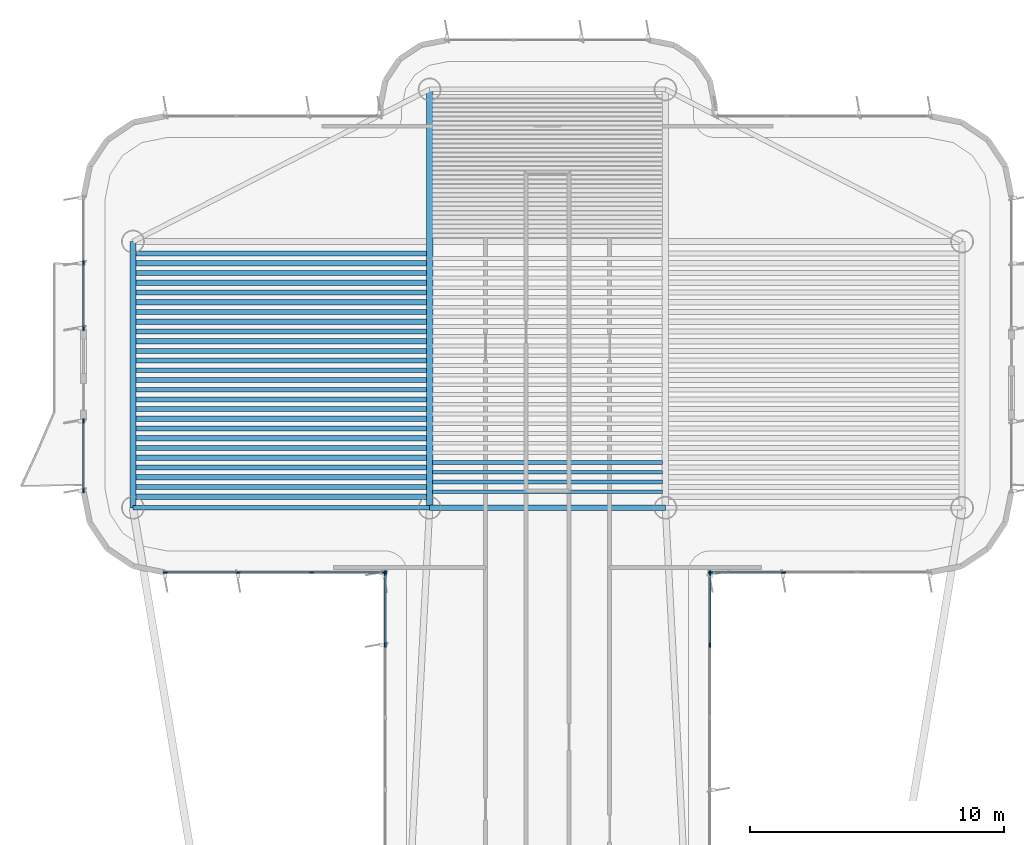
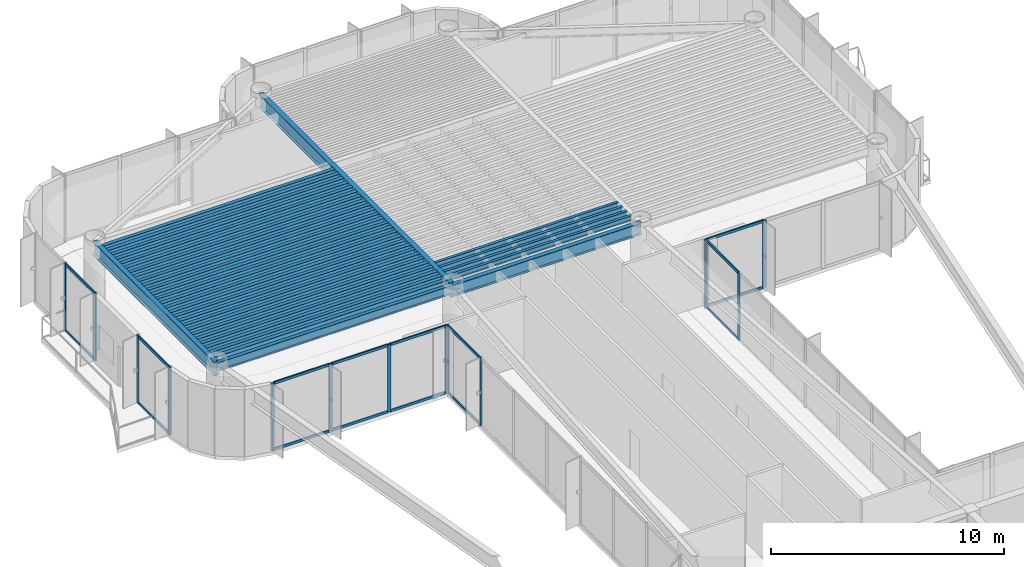
# One storey, part 5 of 14: 34 beams, 30 members, 6 elements without a shape of their own.
"""IFC4 building model written with IfcOpenShell, lengths in metres."""

from ifc_helpers import new_model, si_unit, direction, frame, origin, origin_2d, place, context, subcontext, project, spatial, rectangle, i_section, extrude, source, transform, mapped, material, layer, layer_set, material_profile, profile_set, type_object, element, aggregate, save


model = new_model("IFC4")

# Units and contexts
model_context = context("Model", 3, precision=1e-05, world=origin(), true_north=direction((0.0, 1.0)))
body_context = subcontext(model_context, "Body", "Model", "MODEL_VIEW")
ifc_project = project(units=[si_unit("LENGTHUNIT", "METRE"), si_unit("AREAUNIT", "SQUARE_METRE"), si_unit("VOLUMEUNIT", "CUBIC_METRE"), si_unit("PLANEANGLEUNIT", "RADIAN"), si_unit("MASSUNIT", "GRAM", prefix="KILO")], contexts=[model_context])

# Site, building, storey
site_placement = place(None, origin())
site = spatial("IfcSite", under=ifc_project, at=site_placement, CompositionType="ELEMENT")
building_placement = place(site_placement, origin())
building = spatial("IfcBuilding", under=site, at=building_placement, Name="Brelvock Crest Care Tower", CompositionType="ELEMENT")
storey_placement = place(building_placement, frame((0.0, 0.0, 253.260009765625)))
storey = spatial("IfcBuildingStorey", under=building, at=storey_placement, Name="L64", CompositionType="ELEMENT", Elevation=253.260009765625)

# Beams
ifc_material_1 = material(Name="Steel Grade 350", Category="steel")
ifc_material_profile_1 = material_profile(ifc_material_1, i_section(OverallWidth=0.25, OverallDepth=0.699951171875, WebThickness=0.011962890625, FlangeThickness=0.02001953125, at=origin_2d()), Name="700WB150")
ifc_profile_set_1 = profile_set([ifc_material_profile_1], Name="Steel Grade 350")
beam_type_1 = type_object("IfcBeamType", Name="BM-G4", PredefinedType="BEAM", material=ifc_profile_set_1)
shared_shape_1 = source(origin(), body_context, "Body", "SweptSolid", [
    extrude(i_section(OverallWidth=0.25, OverallDepth=0.699951171875, WebThickness=0.011962890625, FlangeThickness=0.02001953125, at=origin_2d()), origin(), (0.0, 0.0, 1.0), 10.5),
])
beam_1_placement = place(storey_placement, frame((19.64990234375, 43.949951171875, 3.179931640625), z_axis=(0.0, 1.0, 0.0), x_axis=(-1.0, 0.0, 0.0)))
element("IfcBeam", 1, at=beam_1_placement, inside=storey, type_object=beam_type_1, Name="BM-TWR-L64-01", PredefinedType="BEAM", context=body_context, shape_type="MappedRepresentation", body=[
    mapped(shared_shape_1, transform((0.0, 0.0, 0.0), x_axis=(1.0, 0.0, 0.0), y_axis=(0.0, 1.0, 0.0), z_axis=(0.0, 0.0, 1.0), scale=1.0)),
])
ifc_material_profile_2 = material_profile(ifc_material_1, i_section(OverallWidth=0.22900390625, OverallDepth=0.612060546875, WebThickness=0.011962890625, FlangeThickness=0.01953125, FilletRadius=0.013916015625, at=origin_2d()), Name="610UB125")
ifc_profile_set_2 = profile_set([ifc_material_profile_2], Name="Steel Grade 350")
beam_type_2 = type_object("IfcBeamType", Name="BM-G1", PredefinedType="BEAM", material=ifc_profile_set_2)
shared_shape_2 = source(origin(), body_context, "Body", "SweptSolid", [
    extrude(i_section(OverallWidth=0.22900390625, OverallDepth=0.612060546875, WebThickness=0.011962890625, FlangeThickness=0.01953125, FilletRadius=0.013916015625, at=origin_2d()), origin(), (0.0, 0.0, 1.0), 9.2998046875),
])
beam_2_placement = place(storey_placement, frame((31.35009765625, 43.949951171875, 3.223876953125), z_axis=(1.0, 0.0, 0.0), x_axis=(0.0, 1.0, 0.0)))
element("IfcBeam", 2, at=beam_2_placement, inside=storey, type_object=beam_type_2, Name="BM-TWR-L64-05", PredefinedType="BEAM", context=body_context, shape_type="MappedRepresentation", body=[
    mapped(shared_shape_2, transform((0.0, 0.0, 0.0), x_axis=(1.0, 0.0, 0.0), y_axis=(0.0, 1.0, 0.0), z_axis=(0.0, 0.0, 1.0), scale=1.0)),
])
ifc_material_profile_3 = material_profile(ifc_material_1, i_section(OverallWidth=0.14599609375, OverallDepth=0.256103515625, WebThickness=0.00634765625, FlangeThickness=0.010986328125, FilletRadius=0.0087890625, at=origin_2d()), Name="250UB37.3")
ifc_profile_set_3 = profile_set([ifc_material_profile_3], Name="Steel Grade 350")
beam_type_3 = type_object("IfcBeamType", Name="BM-J3", PredefinedType="JOIST", material=ifc_profile_set_3)
shared_shape_3 = source(origin(), body_context, "Body", "SweptSolid", [
    extrude(i_section(OverallWidth=0.14599609375, OverallDepth=0.256103515625, WebThickness=0.00634765625, FlangeThickness=0.010986328125, FilletRadius=0.0087890625, at=origin_2d()), origin(), (0.0, 0.0, 1.0), 9.06982421875),
])
for number, where, z_axis, x_axis, name in (
    (3, (31.465087890625, 44.58251953125, 3.402099609375), (1.0, 0.0, 0.0), (0.0, 1.0, 0.0), "BM-JH-L64-1"),
    (4, (31.465087890625, 44.9658203125, 3.402099609375), (1.0, 0.0, 0.0), (0.0, 1.0, 0.0), "BM-JH-L64-2"),
    (5, (31.465087890625, 45.34912109375, 3.402099609375), (1.0, 0.0, 0.0), (0.0, 1.0, 0.0), "BM-JH-L64-3"),
    (6, (31.465087890625, 45.732421875, 3.402099609375), (1.0, 0.0, 0.0), (0.0, 1.0, 0.0), "BM-JH-L64-4"),
):
    element("IfcBeam", number, at=place(storey_placement, frame(where, z_axis=z_axis, x_axis=x_axis)), inside=storey, type_object=beam_type_3, Name=name, PredefinedType="JOIST", context=body_context, shape_type="MappedRepresentation", body=[
        mapped(shared_shape_3, transform((0.0, 0.0, 0.0), x_axis=(1.0, 0.0, 0.0), y_axis=(0.0, 1.0, 0.0), z_axis=(0.0, 0.0, 1.0), scale=1.0)),
    ])
ifc_material_profile_4 = material_profile(ifc_material_1, i_section(OverallWidth=0.19091796875, OverallDepth=0.4599609375, WebThickness=0.010009765625, FlangeThickness=0.01611328125, FilletRadius=0.011474609375, at=origin_2d()), Name="460UB82.1")
ifc_profile_set_4 = profile_set([ifc_material_profile_4], Name="Steel Grade 350")
beam_type_4 = type_object("IfcBeamType", Name="BM-G3", PredefinedType="BEAM", material=ifc_profile_set_4)
shared_shape_4 = source(origin(), body_context, "Body", "SweptSolid", [
    extrude(i_section(OverallWidth=0.19091796875, OverallDepth=0.4599609375, WebThickness=0.010009765625, FlangeThickness=0.01611328125, FilletRadius=0.011474609375, at=origin_2d()), origin(), (0.0, 0.0, 1.0), 11.47021484375),
])
for number, where, z_axis, x_axis, name in (
    (7, (19.764892578125, 44.7744140625, 3.300048828125), (1.0, 0.0, 0.0), (0.0, 1.0, 0.0), "BM-JW-L64-2"),
    (8, (19.764892578125, 45.540771484375, 3.300048828125), (1.0, 0.0, 0.0), (0.0, 1.0, 0.0), "BM-JW-L64-4"),
    (9, (19.764892578125, 46.307373046875, 3.300048828125), (1.0, 0.0, 0.0), (0.0, 1.0, 0.0), "BM-JW-L64-6"),
    (10, (19.764892578125, 47.07373046875, 3.300048828125), (1.0, 0.0, 0.0), (0.0, 1.0, 0.0), "BM-JW-L64-8"),
    (11, (19.764892578125, 47.84033203125, 3.300048828125), (1.0, 0.0, 0.0), (0.0, 1.0, 0.0), "BM-JW-L64-10"),
    (12, (19.764892578125, 48.606689453125, 3.300048828125), (1.0, 0.0, 0.0), (0.0, 1.0, 0.0), "BM-JW-L64-12"),
    (13, (19.764892578125, 49.373291015625, 3.300048828125), (1.0, 0.0, 0.0), (0.0, 1.0, 0.0), "BM-JW-L64-14"),
    (14, (19.764892578125, 50.139892578125, 3.300048828125), (1.0, 0.0, 0.0), (0.0, 1.0, 0.0), "BM-JW-L64-16"),
    (15, (19.764892578125, 50.90625, 3.300048828125), (1.0, 0.0, 0.0), (0.0, 1.0, 0.0), "BM-JW-L64-18"),
    (16, (19.764892578125, 51.6728515625, 3.300048828125), (1.0, 0.0, 0.0), (0.0, 1.0, 0.0), "BM-JW-L64-20"),
    (17, (19.764892578125, 52.439208984375, 3.300048828125), (1.0, 0.0, 0.0), (0.0, 1.0, 0.0), "BM-JW-L64-22"),
    (18, (19.764892578125, 53.205810546875, 3.300048828125), (1.0, 0.0, 0.0), (0.0, 1.0, 0.0), "BM-JW-L64-24"),
    (19, (19.764892578125, 53.972412109375, 3.300048828125), (1.0, 0.0, 0.0), (0.0, 1.0, 0.0), "BM-JW-L64-26"),
):
    element("IfcBeam", number, at=place(storey_placement, frame(where, z_axis=z_axis, x_axis=x_axis)), inside=storey, type_object=beam_type_4, Name=name, PredefinedType="BEAM", context=body_context, shape_type="MappedRepresentation", body=[
        mapped(shared_shape_4, transform((0.0, 0.0, 0.0), x_axis=(1.0, 0.0, 0.0), y_axis=(0.0, 1.0, 0.0), z_axis=(0.0, 0.0, 1.0), scale=1.0)),
    ])
ifc_material_profile_5 = material_profile(ifc_material_1, i_section(OverallWidth=0.208984375, OverallDepth=0.532958984375, WebThickness=0.01025390625, FlangeThickness=0.015625, FilletRadius=0.013916015625, at=origin_2d()), Name="530UB92.4")
ifc_profile_set_5 = profile_set([ifc_material_profile_5], Name="Steel Grade 350")
beam_type_5 = type_object("IfcBeamType", Name="BM-G2", PredefinedType="BEAM", material=ifc_profile_set_5)
shared_shape_5 = source(origin(), body_context, "Body", "SweptSolid", [
    extrude(i_section(OverallWidth=0.208984375, OverallDepth=0.532958984375, WebThickness=0.01025390625, FlangeThickness=0.015625, FilletRadius=0.013916015625, at=origin_2d()), origin(), (0.0, 0.0, 1.0), 11.47021484375),
])
for number, where, z_axis, x_axis, name in (
    (20, (19.764892578125, 44.39111328125, 3.263427734375), (1.0, 0.0, 0.0), (0.0, 1.0, 0.0), "BM-JW-L64-1"),
    (21, (19.764892578125, 45.157470703125, 3.263427734375), (1.0, 0.0, 0.0), (0.0, 1.0, 0.0), "BM-JW-L64-3"),
    (22, (19.764892578125, 45.924072265625, 3.263427734375), (1.0, 0.0, 0.0), (0.0, 1.0, 0.0), "BM-JW-L64-5"),
    (23, (19.764892578125, 46.6904296875, 3.263427734375), (1.0, 0.0, 0.0), (0.0, 1.0, 0.0), "BM-JW-L64-7"),
    (24, (19.764892578125, 47.45703125, 3.263427734375), (1.0, 0.0, 0.0), (0.0, 1.0, 0.0), "BM-JW-L64-9"),
    (25, (19.764892578125, 48.223388671875, 3.263427734375), (1.0, 0.0, 0.0), (0.0, 1.0, 0.0), "BM-JW-L64-11"),
    (26, (19.764892578125, 48.989990234375, 3.263427734375), (1.0, 0.0, 0.0), (0.0, 1.0, 0.0), "BM-JW-L64-13"),
    (27, (19.764892578125, 49.756591796875, 3.263427734375), (1.0, 0.0, 0.0), (0.0, 1.0, 0.0), "BM-JW-L64-15"),
    (28, (19.764892578125, 50.52294921875, 3.263427734375), (1.0, 0.0, 0.0), (0.0, 1.0, 0.0), "BM-JW-L64-17"),
    (29, (19.764892578125, 51.28955078125, 3.263427734375), (1.0, 0.0, 0.0), (0.0, 1.0, 0.0), "BM-JW-L64-19"),
    (30, (19.764892578125, 52.055908203125, 3.263427734375), (1.0, 0.0, 0.0), (0.0, 1.0, 0.0), "BM-JW-L64-21"),
    (31, (19.764892578125, 52.822509765625, 3.263427734375), (1.0, 0.0, 0.0), (0.0, 1.0, 0.0), "BM-JW-L64-23"),
    (32, (19.764892578125, 53.589111328125, 3.263427734375), (1.0, 0.0, 0.0), (0.0, 1.0, 0.0), "BM-JW-L64-25"),
):
    element("IfcBeam", number, at=place(storey_placement, frame(where, z_axis=z_axis, x_axis=x_axis)), inside=storey, type_object=beam_type_5, Name=name, PredefinedType="BEAM", context=body_context, shape_type="MappedRepresentation", body=[
        mapped(shared_shape_5, transform((0.0, 0.0, 0.0), x_axis=(1.0, 0.0, 0.0), y_axis=(0.0, 1.0, 0.0), z_axis=(0.0, 0.0, 1.0), scale=1.0)),
    ])
ifc_material_profile_6 = material_profile(ifc_material_1, i_section(OverallWidth=0.19091796875, OverallDepth=0.4599609375, WebThickness=0.010009765625, FlangeThickness=0.01611328125, FilletRadius=0.011474609375, at=origin_2d()), Name="460UB82.1")
ifc_profile_set_6 = profile_set([ifc_material_profile_6], Name="Steel Grade 350")
beam_type_6 = type_object("IfcBeamType", Name="BM-SP2", PredefinedType="SPANDREL", material=ifc_profile_set_6)
shared_shape_6 = source(origin(), body_context, "Body", "SweptSolid", [
    extrude(i_section(OverallWidth=0.19091796875, OverallDepth=0.4599609375, WebThickness=0.010009765625, FlangeThickness=0.01611328125, FilletRadius=0.011474609375, at=origin_2d()), origin(), (0.0, 0.0, 1.0), 11.7001953125),
])
beam_3_placement = place(storey_placement, frame((19.64990234375, 43.949951171875, 3.300048828125), z_axis=(1.0, 0.0, 0.0), x_axis=(0.0, 1.0, 0.0)))
element("IfcBeam", 33, at=beam_3_placement, inside=storey, type_object=beam_type_6, Name="BM-TWR-L64-03", PredefinedType="SPANDREL", context=body_context, shape_type="MappedRepresentation", body=[
    mapped(shared_shape_6, transform((0.0, 0.0, 0.0), x_axis=(1.0, 0.0, 0.0), y_axis=(0.0, 1.0, 0.0), z_axis=(0.0, 0.0, 1.0), scale=1.0)),
])
shared_shape_7 = source(origin(), body_context, "Body", "SweptSolid", [
    extrude(i_section(OverallWidth=0.25, OverallDepth=0.699951171875, WebThickness=0.011962890625, FlangeThickness=0.02001953125, at=origin_2d()), origin(), (0.0, 0.0, 1.0), 16.5),
])
beam_4_placement = place(storey_placement, frame((31.35009765625, 43.949951171875, 3.179931640625), z_axis=(0.0, 1.0, 0.0), x_axis=(-1.0, 0.0, 0.0)))
element("IfcBeam", 34, at=beam_4_placement, inside=storey, type_object=beam_type_1, Name="BM-TWR-L64-09", PredefinedType="BEAM", context=body_context, shape_type="MappedRepresentation", body=[
    mapped(shared_shape_7, transform((0.0, 0.0, 0.0), x_axis=(1.0, 0.0, 0.0), y_axis=(0.0, 1.0, 0.0), z_axis=(0.0, 0.0, 1.0), scale=1.0)),
])

# Curtain wall, members
ifc_material_2 = material(Name="Dark Glass Double Glazed Low-E", Category="glass")
ifc_layer = layer(ifc_material_2, 0.239990234375, Name="CWS-5")
ifc_layer_set = layer_set([ifc_layer], Name="Dark Glass Double Glazed Low-E")
curtain_wall_type = type_object("IfcCurtainWallType", Name="CWS-5", PredefinedType="NOTDEFINED", material=ifc_layer_set)
curtain_wall_1_placement = place(storey_placement, origin())
curtain_wall_1 = element("IfcCurtainWall", 35, at=curtain_wall_1_placement, inside=storey, type_object=curtain_wall_type, Name="L64 Curtain Wall E11", PredefinedType="NOTDEFINED")
ifc_material_3 = material(Name="Aluminium 6063-T6", Category="aluminium")
ifc_material_profile_7 = material_profile(ifc_material_3, rectangle(XDim=0.06005859375, YDim=0.179931640625, at=origin_2d()), Name="ALU60x180")
ifc_profile_set_7 = profile_set([ifc_material_profile_7], Name="Aluminium 6063-T6")
member_type_1 = type_object("IfcMemberType", Name="CWM-2", PredefinedType="MULLION", material=ifc_profile_set_7)
shared_shape_8 = source(origin(), body_context, "Body", "SweptSolid", [
    extrude(rectangle(XDim=0.06005859375, YDim=0.179931640625, at=origin_2d()), origin(), (0.0, 0.0, 1.0), 3.530029296875),
])
member_1_placement = place(storey_placement, frame((29.60009765625, 38.54296875, 0.0), z_axis=(0.0, 0.0, 1.0), x_axis=(-1.0, 0.0, 0.0)))
member_1 = element("IfcMember", 36, at=member_1_placement, type_object=member_type_1, Name="CW-5 mullion 7", PredefinedType="MULLION", context=body_context, shape_type="MappedRepresentation", body=[
    mapped(shared_shape_8, transform((0.0, 0.0, 0.0), x_axis=(1.0, 0.0, 0.0), y_axis=(0.0, 1.0, 0.0), z_axis=(0.0, 0.0, 1.0), scale=1.0)),
])
member_2_placement = place(storey_placement, frame((29.60009765625, 41.3701171875, 0.0), z_axis=(0.0, 0.0, 1.0), x_axis=(-1.0, 0.0, 0.0)))
member_2 = element("IfcMember", 37, at=member_2_placement, type_object=member_type_1, Name="CW-5 mullion 8", PredefinedType="MULLION", context=body_context, shape_type="MappedRepresentation", body=[
    mapped(shared_shape_8, transform((0.0, 0.0, 0.0), x_axis=(1.0, 0.0, 0.0), y_axis=(0.0, 1.0, 0.0), z_axis=(0.0, 0.0, 1.0), scale=1.0)),
])

curtain_wall_2_placement = place(storey_placement, origin())
curtain_wall_2 = element("IfcCurtainWall", 38, at=curtain_wall_2_placement, inside=storey, type_object=curtain_wall_type, Name="L64 Curtain Wall E12", PredefinedType="NOTDEFINED")
member_3_placement = place(storey_placement, frame((29.570068359375, 41.39990234375, 0.0), z_axis=(0.0, 0.0, 1.0), x_axis=(0.0, -1.0, 0.0)))
member_3 = element("IfcMember", 39, at=member_3_placement, type_object=member_type_1, Name="CW-5 mullion 1", PredefinedType="MULLION", context=body_context, shape_type="MappedRepresentation", body=[
    mapped(shared_shape_8, transform((0.0, 0.0, 0.0), x_axis=(1.0, 0.0, 0.0), y_axis=(0.0, 1.0, 0.0), z_axis=(0.0, 0.0, 1.0), scale=1.0)),
])
member_4_placement = place(storey_placement, frame((26.699951171875, 41.39990234375, 0.0), z_axis=(0.0, 0.0, 1.0), x_axis=(0.0, -1.0, 0.0)))
member_4 = element("IfcMember", 40, at=member_4_placement, type_object=member_type_1, Name="CW-5 mullion 2", PredefinedType="MULLION", context=body_context, shape_type="MappedRepresentation", body=[
    mapped(shared_shape_8, transform((0.0, 0.0, 0.0), x_axis=(1.0, 0.0, 0.0), y_axis=(0.0, 1.0, 0.0), z_axis=(0.0, 0.0, 1.0), scale=1.0)),
])
member_5_placement = place(storey_placement, frame((23.800048828125, 41.39990234375, 0.0), z_axis=(0.0, 0.0, 1.0), x_axis=(0.0, -1.0, 0.0)))
member_5 = element("IfcMember", 41, at=member_5_placement, type_object=member_type_1, Name="CW-5 mullion 3", PredefinedType="MULLION", context=body_context, shape_type="MappedRepresentation", body=[
    mapped(shared_shape_8, transform((0.0, 0.0, 0.0), x_axis=(1.0, 0.0, 0.0), y_axis=(0.0, 1.0, 0.0), z_axis=(0.0, 0.0, 1.0), scale=1.0)),
])
member_6_placement = place(storey_placement, frame((20.929931640625, 41.39990234375, 0.0), z_axis=(0.0, 0.0, 1.0), x_axis=(0.0, -1.0, 0.0)))
member_6 = element("IfcMember", 42, at=member_6_placement, type_object=member_type_1, Name="CW-5 mullion 4", PredefinedType="MULLION", context=body_context, shape_type="MappedRepresentation", body=[
    mapped(shared_shape_8, transform((0.0, 0.0, 0.0), x_axis=(1.0, 0.0, 0.0), y_axis=(0.0, 1.0, 0.0), z_axis=(0.0, 0.0, 1.0), scale=1.0)),
])

curtain_wall_3_placement = place(storey_placement, origin())
curtain_wall_3 = element("IfcCurtainWall", 43, at=curtain_wall_3_placement, inside=storey, type_object=curtain_wall_type, Name="L64 Curtain Wall E17A", PredefinedType="NOTDEFINED")
member_7_placement = place(storey_placement, frame((17.699951171875, 44.6298828125, 0.0), z_axis=(0.0, 0.0, 1.0), x_axis=(-1.0, 0.0, 0.0)))
member_7 = element("IfcMember", 44, at=member_7_placement, type_object=member_type_1, Name="CW-5 mullion 1", PredefinedType="MULLION", context=body_context, shape_type="MappedRepresentation", body=[
    mapped(shared_shape_8, transform((0.0, 0.0, 0.0), x_axis=(1.0, 0.0, 0.0), y_axis=(0.0, 1.0, 0.0), z_axis=(0.0, 0.0, 1.0), scale=1.0)),
])
member_8_placement = place(storey_placement, frame((17.699951171875, 47.3701171875, 0.0), z_axis=(0.0, 0.0, 1.0), x_axis=(-1.0, 0.0, 0.0)))
member_8 = element("IfcMember", 45, at=member_8_placement, type_object=member_type_1, Name="CW-5 mullion 2", PredefinedType="MULLION", context=body_context, shape_type="MappedRepresentation", body=[
    mapped(shared_shape_8, transform((0.0, 0.0, 0.0), x_axis=(1.0, 0.0, 0.0), y_axis=(0.0, 1.0, 0.0), z_axis=(0.0, 0.0, 1.0), scale=1.0)),
])

curtain_wall_4_placement = place(storey_placement, origin())
curtain_wall_4 = element("IfcCurtainWall", 46, at=curtain_wall_4_placement, inside=storey, type_object=curtain_wall_type, Name="L64 Curtain Wall E17B", PredefinedType="NOTDEFINED")
member_9_placement = place(storey_placement, frame((17.699951171875, 51.030029296875, 0.0), z_axis=(0.0, 0.0, 1.0), x_axis=(-1.0, 0.0, 0.0)))
member_9 = element("IfcMember", 47, at=member_9_placement, type_object=member_type_1, Name="CW-5 mullion 1", PredefinedType="MULLION", context=body_context, shape_type="MappedRepresentation", body=[
    mapped(shared_shape_8, transform((0.0, 0.0, 0.0), x_axis=(1.0, 0.0, 0.0), y_axis=(0.0, 1.0, 0.0), z_axis=(0.0, 0.0, 1.0), scale=1.0)),
])
member_10_placement = place(storey_placement, frame((17.699951171875, 53.60009765625, 0.0), z_axis=(0.0, 0.0, 1.0), x_axis=(-1.0, 0.0, 0.0)))
member_10 = element("IfcMember", 48, at=member_10_placement, type_object=member_type_1, Name="CW-5 mullion 2", PredefinedType="MULLION", context=body_context, shape_type="MappedRepresentation", body=[
    mapped(shared_shape_8, transform((0.0, 0.0, 0.0), x_axis=(1.0, 0.0, 0.0), y_axis=(0.0, 1.0, 0.0), z_axis=(0.0, 0.0, 1.0), scale=1.0)),
])

curtain_wall_5_placement = place(storey_placement, origin())
curtain_wall_5 = element("IfcCurtainWall", 49, at=curtain_wall_5_placement, inside=storey, type_object=curtain_wall_type, Name="L64 Curtain Wall E44", PredefinedType="NOTDEFINED")
member_11_placement = place(storey_placement, frame((45.300048828125, 41.39990234375, 0.0), z_axis=(0.0, 0.0, 1.0), x_axis=(0.0, -1.0, 0.0)))
member_11 = element("IfcMember", 50, at=member_11_placement, type_object=member_type_1, Name="CW-5 mullion 3", PredefinedType="MULLION", context=body_context, shape_type="MappedRepresentation", body=[
    mapped(shared_shape_8, transform((0.0, 0.0, 0.0), x_axis=(1.0, 0.0, 0.0), y_axis=(0.0, 1.0, 0.0), z_axis=(0.0, 0.0, 1.0), scale=1.0)),
])
member_12_placement = place(storey_placement, frame((42.429931640625, 41.39990234375, 0.0), z_axis=(0.0, 0.0, 1.0), x_axis=(0.0, -1.0, 0.0)))
member_12 = element("IfcMember", 51, at=member_12_placement, type_object=member_type_1, Name="CW-5 mullion 4", PredefinedType="MULLION", context=body_context, shape_type="MappedRepresentation", body=[
    mapped(shared_shape_8, transform((0.0, 0.0, 0.0), x_axis=(1.0, 0.0, 0.0), y_axis=(0.0, 1.0, 0.0), z_axis=(0.0, 0.0, 1.0), scale=1.0)),
])

curtain_wall_6_placement = place(storey_placement, origin())
curtain_wall_6 = element("IfcCurtainWall", 52, at=curtain_wall_6_placement, inside=storey, type_object=curtain_wall_type, Name="L64 Curtain Wall E45", PredefinedType="NOTDEFINED")
member_13_placement = place(storey_placement, frame((42.39990234375, 41.3701171875, 0.0), z_axis=(0.0, 0.0, 1.0), x_axis=(1.0, 0.0, 0.0)))
member_13 = element("IfcMember", 53, at=member_13_placement, type_object=member_type_1, Name="CW-5 mullion 1", PredefinedType="MULLION", context=body_context, shape_type="MappedRepresentation", body=[
    mapped(shared_shape_8, transform((0.0, 0.0, 0.0), x_axis=(1.0, 0.0, 0.0), y_axis=(0.0, 1.0, 0.0), z_axis=(0.0, 0.0, 1.0), scale=1.0)),
])
member_14_placement = place(storey_placement, frame((42.39990234375, 38.54296875, 0.0), z_axis=(0.0, 0.0, 1.0), x_axis=(1.0, 0.0, 0.0)))
member_14 = element("IfcMember", 54, at=member_14_placement, type_object=member_type_1, Name="CW-5 mullion 2", PredefinedType="MULLION", context=body_context, shape_type="MappedRepresentation", body=[
    mapped(shared_shape_8, transform((0.0, 0.0, 0.0), x_axis=(1.0, 0.0, 0.0), y_axis=(0.0, 1.0, 0.0), z_axis=(0.0, 0.0, 1.0), scale=1.0)),
])

# Member
ifc_material_profile_8 = material_profile(ifc_material_3, rectangle(XDim=0.06005859375, YDim=0.139892578125, at=origin_2d()), Name="ALU60x140")
ifc_profile_set_8 = profile_set([ifc_material_profile_8], Name="Aluminium 6063-T6")
member_type_2 = type_object("IfcMemberType", Name="CWT-2", PredefinedType="USERDEFINED", material=ifc_profile_set_8)
shared_shape_9 = source(origin(), body_context, "Body", "SweptSolid", [
    extrude(rectangle(XDim=0.06005859375, YDim=0.139892578125, at=origin_2d()), origin(), (0.0, 0.0, 1.0), 2.510009765625),
])
member_15_placement = place(storey_placement, frame((17.699951171875, 51.06005859375, 0.030029296875), z_axis=(0.0, 1.0, 0.0), x_axis=(-1.0, 0.0, 0.0)))
member_15 = element("IfcMember", 55, at=member_15_placement, type_object=member_type_2, Name="CW-5 transom 1.1", ObjectType="TRANSOM", PredefinedType="USERDEFINED", context=body_context, shape_type="MappedRepresentation", body=[
    mapped(shared_shape_9, transform((0.0, 0.0, 0.0), x_axis=(1.0, 0.0, 0.0), y_axis=(0.0, 1.0, 0.0), z_axis=(0.0, 0.0, 1.0), scale=1.0)),
])

member_16_placement = place(storey_placement, frame((17.699951171875, 51.06005859375, 3.5), z_axis=(0.0, 1.0, 0.0), x_axis=(-1.0, 0.0, 0.0)))
member_16 = element("IfcMember", 56, at=member_16_placement, type_object=member_type_2, Name="CW-5 transom 1.2", ObjectType="TRANSOM", PredefinedType="USERDEFINED", context=body_context, shape_type="MappedRepresentation", body=[
    mapped(shared_shape_9, transform((0.0, 0.0, 0.0), x_axis=(1.0, 0.0, 0.0), y_axis=(0.0, 1.0, 0.0), z_axis=(0.0, 0.0, 1.0), scale=1.0)),
])

aggregate(curtain_wall_4, [member_9, member_10, member_15, member_16])

shared_shape_10 = source(origin(), body_context, "Body", "SweptSolid", [
    extrude(rectangle(XDim=0.06005859375, YDim=0.139892578125, at=origin_2d()), origin(), (0.0, 0.0, 1.0), 2.767333984375),
])
member_17_placement = place(storey_placement, frame((29.60009765625, 38.57275390625, 0.030029296875), z_axis=(0.0, 1.0, 0.0), x_axis=(-1.0, 0.0, 0.0)))
member_17 = element("IfcMember", 57, at=member_17_placement, type_object=member_type_2, Name="CW-5 transom 7.1", ObjectType="TRANSOM", PredefinedType="USERDEFINED", context=body_context, shape_type="MappedRepresentation", body=[
    mapped(shared_shape_10, transform((0.0, 0.0, 0.0), x_axis=(1.0, 0.0, 0.0), y_axis=(0.0, 1.0, 0.0), z_axis=(0.0, 0.0, 1.0), scale=1.0)),
])

member_18_placement = place(storey_placement, frame((29.60009765625, 38.57275390625, 3.5), z_axis=(0.0, 1.0, 0.0), x_axis=(-1.0, 0.0, 0.0)))
member_18 = element("IfcMember", 58, at=member_18_placement, type_object=member_type_2, Name="CW-5 transom 7.2", ObjectType="TRANSOM", PredefinedType="USERDEFINED", context=body_context, shape_type="MappedRepresentation", body=[
    mapped(shared_shape_10, transform((0.0, 0.0, 0.0), x_axis=(1.0, 0.0, 0.0), y_axis=(0.0, 1.0, 0.0), z_axis=(0.0, 0.0, 1.0), scale=1.0)),
])

aggregate(curtain_wall_1, [member_1, member_2, member_17, member_18])

member_19_placement = place(storey_placement, frame((42.39990234375, 41.340087890625, 0.030029296875), z_axis=(0.0, -1.0, 0.0), x_axis=(1.0, 0.0, 0.0)))
member_19 = element("IfcMember", 59, at=member_19_placement, type_object=member_type_2, Name="CW-5 transom 1.1", ObjectType="TRANSOM", PredefinedType="USERDEFINED", context=body_context, shape_type="MappedRepresentation", body=[
    mapped(shared_shape_10, transform((0.0, 0.0, 0.0), x_axis=(1.0, 0.0, 0.0), y_axis=(0.0, 1.0, 0.0), z_axis=(0.0, 0.0, 1.0), scale=1.0)),
])

member_20_placement = place(storey_placement, frame((42.39990234375, 41.340087890625, 3.5), z_axis=(0.0, -1.0, 0.0), x_axis=(1.0, 0.0, 0.0)))
member_20 = element("IfcMember", 60, at=member_20_placement, type_object=member_type_2, Name="CW-5 transom 1.2", ObjectType="TRANSOM", PredefinedType="USERDEFINED", context=body_context, shape_type="MappedRepresentation", body=[
    mapped(shared_shape_10, transform((0.0, 0.0, 0.0), x_axis=(1.0, 0.0, 0.0), y_axis=(0.0, 1.0, 0.0), z_axis=(0.0, 0.0, 1.0), scale=1.0)),
])

aggregate(curtain_wall_6, [member_13, member_14, member_19, member_20])

shared_shape_11 = source(origin(), body_context, "Body", "SweptSolid", [
    extrude(rectangle(XDim=0.06005859375, YDim=0.139892578125, at=origin_2d()), origin(), (0.0, 0.0, 1.0), 2.81005859375),
])
member_21_placement = place(storey_placement, frame((29.5400390625, 41.39990234375, 0.030029296875), z_axis=(-1.0, 0.0, 0.0), x_axis=(0.0, -1.0, 0.0)))
member_21 = element("IfcMember", 61, at=member_21_placement, type_object=member_type_2, Name="CW-5 transom 1.1", ObjectType="TRANSOM", PredefinedType="USERDEFINED", context=body_context, shape_type="MappedRepresentation", body=[
    mapped(shared_shape_11, transform((0.0, 0.0, 0.0), x_axis=(1.0, 0.0, 0.0), y_axis=(0.0, 1.0, 0.0), z_axis=(0.0, 0.0, 1.0), scale=1.0)),
])

member_22_placement = place(storey_placement, frame((29.5400390625, 41.39990234375, 3.5), z_axis=(-1.0, 0.0, 0.0), x_axis=(0.0, -1.0, 0.0)))
member_22 = element("IfcMember", 62, at=member_22_placement, type_object=member_type_2, Name="CW-5 transom 1.2", ObjectType="TRANSOM", PredefinedType="USERDEFINED", context=body_context, shape_type="MappedRepresentation", body=[
    mapped(shared_shape_11, transform((0.0, 0.0, 0.0), x_axis=(1.0, 0.0, 0.0), y_axis=(0.0, 1.0, 0.0), z_axis=(0.0, 0.0, 1.0), scale=1.0)),
])

member_23_placement = place(storey_placement, frame((23.77001953125, 41.39990234375, 0.030029296875), z_axis=(-1.0, 0.0, 0.0), x_axis=(0.0, -1.0, 0.0)))
member_23 = element("IfcMember", 63, at=member_23_placement, type_object=member_type_2, Name="CW-5 transom 3.1", ObjectType="TRANSOM", PredefinedType="USERDEFINED", context=body_context, shape_type="MappedRepresentation", body=[
    mapped(shared_shape_11, transform((0.0, 0.0, 0.0), x_axis=(1.0, 0.0, 0.0), y_axis=(0.0, 1.0, 0.0), z_axis=(0.0, 0.0, 1.0), scale=1.0)),
])

member_24_placement = place(storey_placement, frame((23.77001953125, 41.39990234375, 3.5), z_axis=(-1.0, 0.0, 0.0), x_axis=(0.0, -1.0, 0.0)))
member_24 = element("IfcMember", 64, at=member_24_placement, type_object=member_type_2, Name="CW-5 transom 3.2", ObjectType="TRANSOM", PredefinedType="USERDEFINED", context=body_context, shape_type="MappedRepresentation", body=[
    mapped(shared_shape_11, transform((0.0, 0.0, 0.0), x_axis=(1.0, 0.0, 0.0), y_axis=(0.0, 1.0, 0.0), z_axis=(0.0, 0.0, 1.0), scale=1.0)),
])

member_25_placement = place(storey_placement, frame((45.27001953125, 41.39990234375, 0.030029296875), z_axis=(-1.0, 0.0, 0.0), x_axis=(0.0, -1.0, 0.0)))
member_25 = element("IfcMember", 65, at=member_25_placement, type_object=member_type_2, Name="CW-5 transom 3.1", ObjectType="TRANSOM", PredefinedType="USERDEFINED", context=body_context, shape_type="MappedRepresentation", body=[
    mapped(shared_shape_11, transform((0.0, 0.0, 0.0), x_axis=(1.0, 0.0, 0.0), y_axis=(0.0, 1.0, 0.0), z_axis=(0.0, 0.0, 1.0), scale=1.0)),
])

member_26_placement = place(storey_placement, frame((45.27001953125, 41.39990234375, 3.5), z_axis=(-1.0, 0.0, 0.0), x_axis=(0.0, -1.0, 0.0)))
member_26 = element("IfcMember", 66, at=member_26_placement, type_object=member_type_2, Name="CW-5 transom 3.2", ObjectType="TRANSOM", PredefinedType="USERDEFINED", context=body_context, shape_type="MappedRepresentation", body=[
    mapped(shared_shape_11, transform((0.0, 0.0, 0.0), x_axis=(1.0, 0.0, 0.0), y_axis=(0.0, 1.0, 0.0), z_axis=(0.0, 0.0, 1.0), scale=1.0)),
])

aggregate(curtain_wall_5, [member_11, member_12, member_25, member_26])

shared_shape_12 = source(origin(), body_context, "Body", "SweptSolid", [
    extrude(rectangle(XDim=0.06005859375, YDim=0.139892578125, at=origin_2d()), origin(), (0.0, 0.0, 1.0), 2.83984375),
])
member_27_placement = place(storey_placement, frame((26.669921875, 41.39990234375, 0.030029296875), z_axis=(-1.0, 0.0, 0.0), x_axis=(0.0, -1.0, 0.0)))
member_27 = element("IfcMember", 67, at=member_27_placement, type_object=member_type_2, Name="CW-5 transom 2.1", ObjectType="TRANSOM", PredefinedType="USERDEFINED", context=body_context, shape_type="MappedRepresentation", body=[
    mapped(shared_shape_12, transform((0.0, 0.0, 0.0), x_axis=(1.0, 0.0, 0.0), y_axis=(0.0, 1.0, 0.0), z_axis=(0.0, 0.0, 1.0), scale=1.0)),
])

member_28_placement = place(storey_placement, frame((26.669921875, 41.39990234375, 3.5), z_axis=(-1.0, 0.0, 0.0), x_axis=(0.0, -1.0, 0.0)))
member_28 = element("IfcMember", 68, at=member_28_placement, type_object=member_type_2, Name="CW-5 transom 2.2", ObjectType="TRANSOM", PredefinedType="USERDEFINED", context=body_context, shape_type="MappedRepresentation", body=[
    mapped(shared_shape_12, transform((0.0, 0.0, 0.0), x_axis=(1.0, 0.0, 0.0), y_axis=(0.0, 1.0, 0.0), z_axis=(0.0, 0.0, 1.0), scale=1.0)),
])

aggregate(curtain_wall_2, [member_3, member_4, member_5, member_6, member_21, member_22, member_27, member_28, member_23, member_24])

shared_shape_13 = source(origin(), body_context, "Body", "SweptSolid", [
    extrude(rectangle(XDim=0.06005859375, YDim=0.139892578125, at=origin_2d()), origin(), (0.0, 0.0, 1.0), 2.68017578125),
])
member_29_placement = place(storey_placement, frame((17.699951171875, 44.659912109375, 0.030029296875), z_axis=(0.0, 1.0, 0.0), x_axis=(-1.0, 0.0, 0.0)))
member_29 = element("IfcMember", 69, at=member_29_placement, type_object=member_type_2, Name="CW-5 transom 1.1", ObjectType="TRANSOM", PredefinedType="USERDEFINED", context=body_context, shape_type="MappedRepresentation", body=[
    mapped(shared_shape_13, transform((0.0, 0.0, 0.0), x_axis=(1.0, 0.0, 0.0), y_axis=(0.0, 1.0, 0.0), z_axis=(0.0, 0.0, 1.0), scale=1.0)),
])

member_30_placement = place(storey_placement, frame((17.699951171875, 44.659912109375, 3.5), z_axis=(0.0, 1.0, 0.0), x_axis=(-1.0, 0.0, 0.0)))
member_30 = element("IfcMember", 70, at=member_30_placement, type_object=member_type_2, Name="CW-5 transom 1.2", ObjectType="TRANSOM", PredefinedType="USERDEFINED", context=body_context, shape_type="MappedRepresentation", body=[
    mapped(shared_shape_13, transform((0.0, 0.0, 0.0), x_axis=(1.0, 0.0, 0.0), y_axis=(0.0, 1.0, 0.0), z_axis=(0.0, 0.0, 1.0), scale=1.0)),
])

aggregate(curtain_wall_3, [member_7, member_8, member_29, member_30])

save(model, "model.ifc")
